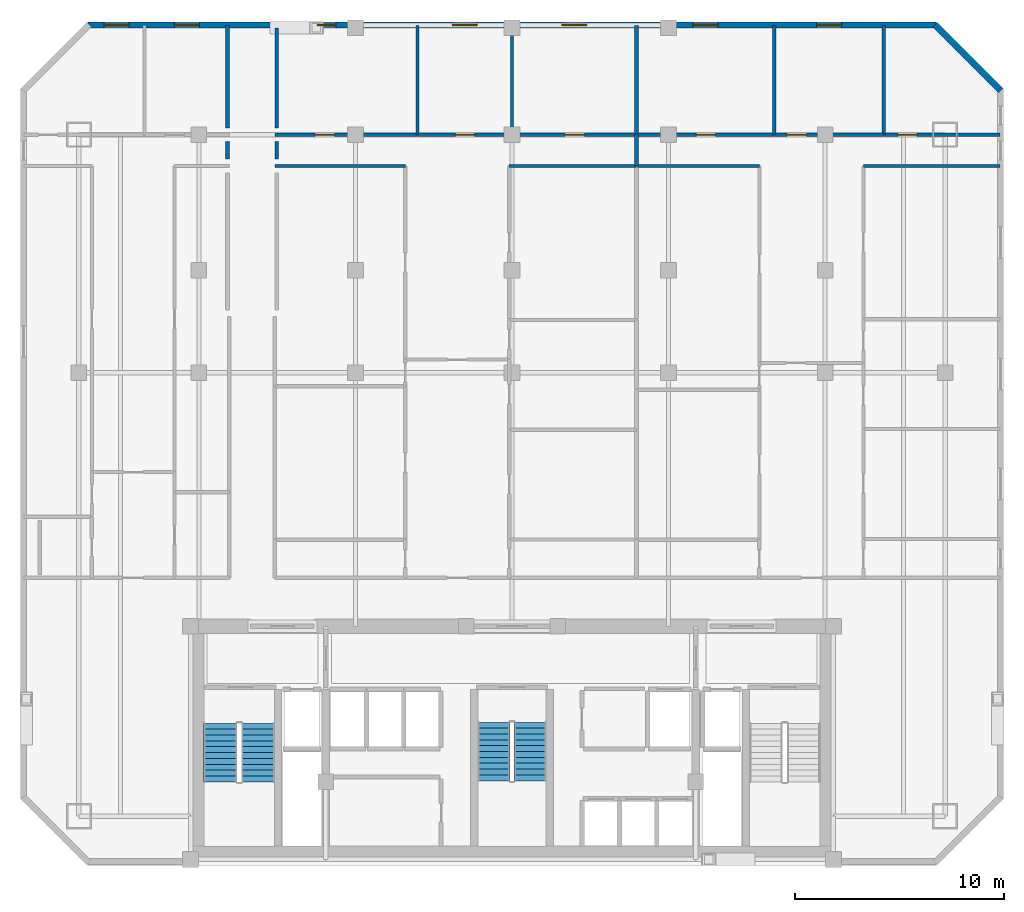
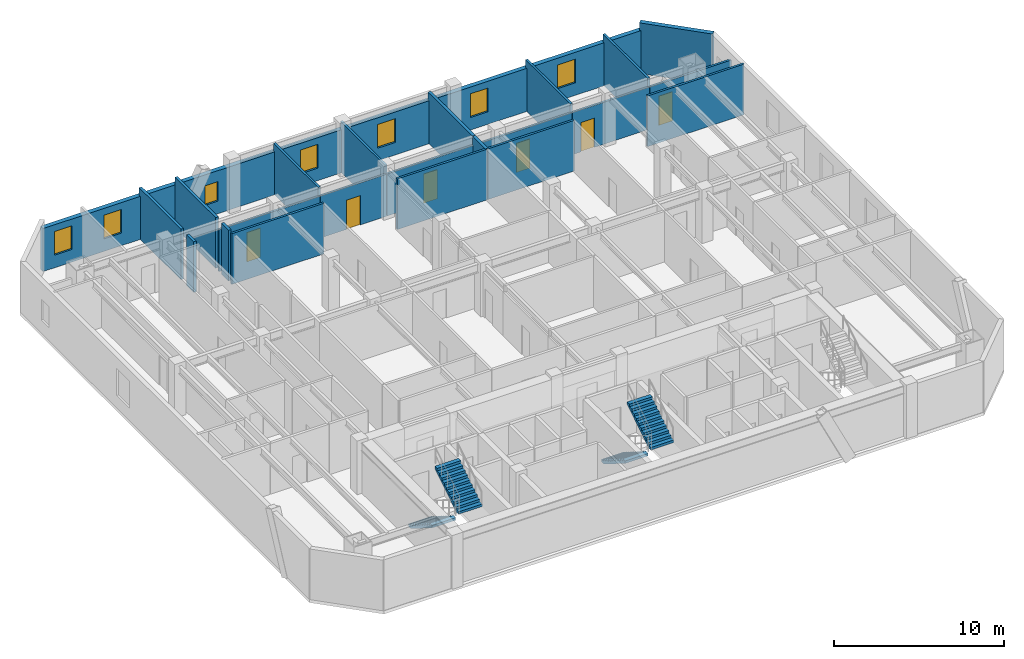
# One storey, part 6 of 8: 22 walls, 7 windows, 6 doors, 4 stair flights, 13 openings, 2 elements without a shape of their own.
"""IFC4 building model written with IfcOpenShell, lengths in metres."""

from ifc_helpers import new_model, si_unit, direction, frame, frame_2d, origin, place, context, subcontext, project, spatial, polyline, rectangle, outline, extrude, material, layer, layer_set, type_object, element, fill, aggregate, save


model = new_model("IFC4")

# Units and contexts
model_context = context("Model", 3, precision=1e-05, world=origin(), true_north=direction((0.0, 1.0)))
body_context = subcontext(model_context, "Body", "Model", "MODEL_VIEW")
ifc_project = project(units=[si_unit("LENGTHUNIT", "METRE"), si_unit("AREAUNIT", "SQUARE_METRE"), si_unit("VOLUMEUNIT", "CUBIC_METRE"), si_unit("PLANEANGLEUNIT", "RADIAN"), si_unit("MASSUNIT", "GRAM", prefix="KILO")], contexts=[model_context])

# Site, building, storey
site_placement = place(None, origin())
site = spatial("IfcSite", under=ifc_project, at=site_placement, CompositionType="ELEMENT")
building_placement = place(site_placement, origin())
building = spatial("IfcBuilding", under=site, at=building_placement, Name="Ventersveld Concourse Tower", CompositionType="ELEMENT")
storey_placement = place(building_placement, frame((0.0, 0.0, 164.449951171875)))
storey = spatial("IfcBuildingStorey", under=building, at=storey_placement, Name="L40", CompositionType="ELEMENT", Elevation=164.449951171875)

# Walls
ifc_material_1 = material(Name="Fire-rated autoclaved aerated masonry blockwork", Category="masonry")
ifc_layer_1 = layer(ifc_material_1, 0.179931640625)
ifc_layer_set_1 = layer_set([ifc_layer_1], Name="Fire-rated autoclaved aerated masonry blockwork")
wall_type_1 = type_object("IfcWallType", Name="WL-CORR-180", PredefinedType="PARTITIONING", material=ifc_layer_set_1)
wall_1_placement = place(storey_placement, frame((15.1201171875, 34.675048828125, 0.0), z_axis=(0.0, 0.0, 1.0), x_axis=(0.0, -1.0, 0.0)))
element("IfcWall", 1, at=wall_1_placement, inside=storey, type_object=wall_type_1, Name="L40 Room Enclosure Wall SP-L40-40NW-LIV", PredefinedType="PARTITIONING", context=body_context, shape_type="SweptSolid", body=[
    extrude(rectangle(XDim=0.85009765625, YDim=0.179931640625, at=frame_2d((0.425048828125, 0.0))), origin(), (0.0, 0.0, 1.0), 3.630126953125),
])
wall_2_placement = place(storey_placement, frame((15.1201171875, 40.2275390625, 0.0), z_axis=(0.0, 0.0, 1.0), x_axis=(0.0, -1.0, 0.0)))
element("IfcWall", 2, at=wall_2_placement, inside=storey, type_object=wall_type_1, Name="L40 Room Enclosure Wall SP-L40-40NW-BR2", PredefinedType="PARTITIONING", context=body_context, shape_type="SweptSolid", body=[
    extrude(rectangle(XDim=4.902587890625, YDim=0.179931640625, at=frame_2d((2.451171875, 0.0))), origin(), (0.0, 0.0, 1.0), 3.630126953125),
])
wall_3_placement = place(storey_placement, frame((17.47998046875, 33.824951171875, 0.0), z_axis=(0.0, 0.0, 1.0), x_axis=(0.0, 1.0, 0.0)))
element("IfcWall", 3, at=wall_3_placement, inside=storey, type_object=wall_type_1, Name="L40 Room Enclosure Wall SP-L40-40N1-LIV", PredefinedType="PARTITIONING", context=body_context, shape_type="SweptSolid", body=[
    extrude(rectangle(XDim=0.85009765625, YDim=0.179931640625, at=frame_2d((0.425048828125, 0.0))), origin(), (0.0, 0.0, 1.0), 3.630126953125),
])
wall_4_placement = place(storey_placement, frame((17.47998046875, 35.324951171875, 0.0), z_axis=(0.0, 0.0, 1.0), x_axis=(0.0, 1.0, 0.0)))
element("IfcWall", 4, at=wall_4_placement, inside=storey, type_object=wall_type_1, Name="L40 Room Enclosure Wall SP-L40-40N1-BR1", PredefinedType="PARTITIONING", context=body_context, shape_type="SweptSolid", body=[
    extrude(rectangle(XDim=4.77880859375, YDim=0.179931640625, at=frame_2d((2.389404296875, 0.0))), origin(), (0.0, 0.0, 1.0), 3.630126953125),
])
ifc_layer_2 = layer(ifc_material_1, 0.199951171875)
ifc_layer_set_2 = layer_set([ifc_layer_2], Name="Fire-rated autoclaved aerated masonry blockwork")
wall_type_2 = type_object("IfcWallType", Name="WL-DEMISE-200", PredefinedType="PARTITIONING", material=ifc_layer_set_2)
wall_5_placement = place(storey_placement, frame((34.719970703125, 33.4951171875, 0.0), z_axis=(0.0, 0.0, 1.0), x_axis=(0.0, 1.0, 0.0)))
element("IfcWall", 5, at=wall_5_placement, inside=storey, type_object=wall_type_2, Name="L40 Interior Partition SP-L40-40N1-LIV-SP-L40-40N2-LIV", PredefinedType="PARTITIONING", context=body_context, shape_type="SweptSolid", body=[
    extrude(rectangle(XDim=1.509765625, YDim=0.199951171875, at=frame_2d((0.7548828125, 0.0))), origin(), (0.0, 0.0, 1.0), 3.630126953125),
])
wall_6_placement = place(storey_placement, frame((34.719970703125, 35.034912109375, 0.0), z_axis=(0.0, 0.0, 1.0), x_axis=(0.0, 1.0, 0.0)))
element("IfcWall", 6, at=wall_6_placement, inside=storey, type_object=wall_type_2, Name="L40 Interior Partition SP-L40-40N1-BR3-SP-L40-40N2-BR1", PredefinedType="PARTITIONING", context=body_context, shape_type="SweptSolid", body=[
    extrude(rectangle(XDim=5.192626953125, YDim=0.199951171875, at=frame_2d((2.59619140625, 0.0))), origin(), (0.0, 0.0, 1.0), 3.630126953125),
])
ifc_material_2 = material(Name="Autoclaved aerated masonry blockwork", Category="masonry")
ifc_layer_3 = layer(ifc_material_2, 0.14990234375)
ifc_layer_set_3 = layer_set([ifc_layer_3], Name="Autoclaved aerated masonry blockwork")
wall_type_3 = type_object("IfcWallType", Name="WL-INT-150", PredefinedType="PARTITIONING", material=ifc_layer_set_3)
wall_7_placement = place(storey_placement, frame((17.385009765625, 33.5, 0.0), z_axis=(0.0, 0.0, 1.0), x_axis=(1.0, 0.0, 0.0)))
element("IfcWall", 7, at=wall_7_placement, inside=storey, type_object=wall_type_3, Name="L40 Interior Partition SP-L40-40N1-LIV-SP-L40-40N1-DENL2", PredefinedType="PARTITIONING", context=body_context, shape_type="SweptSolid", body=[
    extrude(rectangle(XDim=6.25634765625, YDim=0.14990234375, at=frame_2d((3.128173828125, 0.0))), origin(), (0.0, 0.0, 1.0), 3.630126953125),
])
wall_8_placement = place(storey_placement, frame((28.611328125, 33.5, 0.0), z_axis=(0.0, 0.0, 1.0), x_axis=(1.0, 0.0, 0.0)))
element("IfcWall", 8, at=wall_8_placement, inside=storey, type_object=wall_type_3, Name="L40 Interior Partition SP-L40-40N1-LIV-SP-L40-40N1-DENS2", PredefinedType="PARTITIONING", context=body_context, shape_type="SweptSolid", body=[
    extrude(rectangle(XDim=6.11376953125, YDim=0.14990234375, at=frame_2d((3.056884765625, 0.0))), origin(), (0.0, 0.0, 1.0), 3.630126953125),
])

# Wall, opening, door
wall_9_placement = place(storey_placement, frame((17.385009765625, 35.0, 0.0), z_axis=(0.0, 0.0, 1.0), x_axis=(1.0, 0.0, 0.0)))
wall_9 = element("IfcWall", 9, at=wall_9_placement, inside=storey, type_object=wall_type_3, Name="L40 Interior Partition SP-L40-40N1-LIV-SP-L40-40N1-BR1", PredefinedType="PARTITIONING", context=body_context, shape_type="SweptSolid", body=[
    extrude(rectangle(XDim=6.8359375, YDim=0.14990234375, at=frame_2d((3.41796875, 0.0))), origin(), (0.0, 0.0, 1.0), 3.012939453125),
])
opening_1_placement = place(wall_9_placement, frame((1.9326171875, 0.0, 0.0)))
opening_1 = element("IfcOpeningElement", 10, at=opening_1_placement, cuts=wall_9, Name="Opening ID1", PredefinedType="OPENING", context=body_context, shape_type="SweptSolid", body=[
    extrude(rectangle(XDim=0.919921875, YDim=2.10009765625, at=frame_2d((0.4599609375, 1.050048828125))), frame((0.0, 0.0849609375, 0.0), z_axis=(0.0, -1.0, 0.0), x_axis=(1.0, 0.0, 0.0)), (0.0, 0.0, 1.0), 0.169921875),
])
ifc_material_3 = material(Name="Solid-core hardwood veneer timber", Category="wood")
door_type = type_object("IfcDoorType", Name="DR-ROOM-092", OperationType="NOTDEFINED", PredefinedType="DOOR", material=ifc_material_3)
door_1_placement = place(opening_1_placement, origin())
door_1 = element("IfcDoor", 11, at=door_1_placement, inside=storey, type_object=door_type, Name="L40 Interior Door SP-L40-40N1-LIV to SP-L40-40N1-BR1 (D-L40-1975)", OperationType="SINGLE_SWING_LEFT", OverallHeight=2.10009765625, OverallWidth=0.919921875, PredefinedType="DOOR", context=body_context, shape_type="SweptSolid", body=[
    extrude(rectangle(XDim=0.919921875, YDim=2.10009765625, at=frame_2d((0.4599609375, 1.050048828125))), frame((0.0, 0.02490234375, 0.0), z_axis=(0.0, -1.0, 0.0), x_axis=(1.0, 0.0, 0.0)), (0.0, 0.0, 1.0), 0.050048828125),
])
fill(opening_1, door_1)

wall_10_placement = place(storey_placement, frame((24.2509765625, 35.0, 0.0), z_axis=(0.0, 0.0, 1.0), x_axis=(1.0, 0.0, 0.0)))
wall_10 = element("IfcWall", 12, at=wall_10_placement, inside=storey, type_object=wall_type_3, Name="L40 Interior Partition SP-L40-40N1-LIV-SP-L40-40N1-BR2", PredefinedType="PARTITIONING", context=body_context, shape_type="SweptSolid", body=[
    extrude(rectangle(XDim=4.50390625, YDim=0.14990234375, at=frame_2d((2.251953125, 0.0))), origin(), (0.0, 0.0, 1.0), 3.012939453125),
])
opening_2_placement = place(wall_10_placement, frame((1.7919921875, 0.0, 0.0)))
opening_2 = element("IfcOpeningElement", 13, at=opening_2_placement, cuts=wall_10, Name="Opening ID1", PredefinedType="OPENING", context=body_context, shape_type="SweptSolid", body=[
    extrude(rectangle(XDim=0.919921875, YDim=2.10009765625, at=frame_2d((0.4599609375, 1.050048828125))), frame((0.0, 0.0849609375, 0.0), z_axis=(0.0, -1.0, 0.0), x_axis=(1.0, 0.0, 0.0)), (0.0, 0.0, 1.0), 0.169921875),
])
door_2_placement = place(opening_2_placement, origin())
door_2 = element("IfcDoor", 14, at=door_2_placement, inside=storey, type_object=door_type, Name="L40 Interior Door SP-L40-40N1-LIV to SP-L40-40N1-BR2 (D-L40-1976)", OperationType="SINGLE_SWING_RIGHT", OverallHeight=2.10009765625, OverallWidth=0.919921875, PredefinedType="DOOR", context=body_context, shape_type="SweptSolid", body=[
    extrude(rectangle(XDim=0.919921875, YDim=2.10009765625, at=frame_2d((0.4599609375, 1.050048828125))), frame((0.0, 0.02490234375, 0.0), z_axis=(0.0, -1.0, 0.0), x_axis=(1.0, 0.0, 0.0)), (0.0, 0.0, 1.0), 0.050048828125),
])
fill(opening_2, door_2)

wall_11_placement = place(storey_placement, frame((28.784912109375, 35.0, 0.0), z_axis=(0.0, 0.0, 1.0), x_axis=(1.0, 0.0, 0.0)))
wall_11 = element("IfcWall", 15, at=wall_11_placement, inside=storey, type_object=wall_type_3, Name="L40 Interior Partition SP-L40-40N1-LIV-SP-L40-40N1-BR3", PredefinedType="PARTITIONING", context=body_context, shape_type="SweptSolid", body=[
    extrude(rectangle(XDim=5.940185546875, YDim=0.14990234375, at=frame_2d((2.97021484375, 0.0))), origin(), (0.0, 0.0, 1.0), 3.012939453125),
])
opening_3_placement = place(wall_11_placement, frame((2.510009765625, 0.0, 0.0)))
opening_3 = element("IfcOpeningElement", 16, at=opening_3_placement, cuts=wall_11, Name="Opening ID1", PredefinedType="OPENING", context=body_context, shape_type="SweptSolid", body=[
    extrude(rectangle(XDim=0.919921875, YDim=2.10009765625, at=frame_2d((0.4599609375, 1.050048828125))), frame((0.0, 0.0849609375, 0.0), z_axis=(0.0, -1.0, 0.0), x_axis=(1.0, 0.0, 0.0)), (0.0, 0.0, 1.0), 0.169921875),
])
door_3_placement = place(opening_3_placement, origin())
door_3 = element("IfcDoor", 17, at=door_3_placement, inside=storey, type_object=door_type, Name="L40 Interior Door SP-L40-40N1-LIV to SP-L40-40N1-BR3 (D-L40-1977)", OperationType="SINGLE_SWING_LEFT", OverallHeight=2.10009765625, OverallWidth=0.919921875, PredefinedType="DOOR", context=body_context, shape_type="SweptSolid", body=[
    extrude(rectangle(XDim=0.919921875, YDim=2.10009765625, at=frame_2d((0.4599609375, 1.050048828125))), frame((0.0, 0.02490234375, 0.0), z_axis=(0.0, -1.0, 0.0), x_axis=(1.0, 0.0, 0.0)), (0.0, 0.0, 1.0), 0.050048828125),
])
fill(opening_3, door_3)

# Walls
for number, where, z_axis, x_axis, name in (
    (18, (24.216064453125, 34.9951171875, 0.0), (0.0, 0.0, 1.0), (0.0, 1.0, 0.0), "L40 Interior Partition SP-L40-40N1-BR1-SP-L40-40N1-BR2"),
    (19, (28.75, 34.9951171875, 0.0), (0.0, 0.0, 1.0), (0.0, 1.0, 0.0), "L40 Interior Partition SP-L40-40N1-BR2-SP-L40-40N1-BR3"),
):
    element("IfcWall", number, at=place(storey_placement, frame(where, z_axis=z_axis, x_axis=x_axis)), inside=storey, type_object=wall_type_3, Name=name, PredefinedType="PARTITIONING", context=body_context, shape_type="SweptSolid", body=[
        extrude(rectangle(XDim=5.232421875, YDim=0.14990234375, at=frame_2d((2.6162109375, 0.0))), origin(), (0.0, 0.0, 1.0), 3.630126953125),
    ])
wall_12_placement = place(storey_placement, frame((34.7548828125, 33.5, 0.0), z_axis=(0.0, 0.0, 1.0), x_axis=(1.0, 0.0, 0.0)))
element("IfcWall", 20, at=wall_12_placement, inside=storey, type_object=wall_type_3, Name="L40 Interior Partition SP-L40-40N2-LIV-SP-L40-40N2-DENL2", PredefinedType="PARTITIONING", context=body_context, shape_type="SweptSolid", body=[
    extrude(rectangle(XDim=5.855224609375, YDim=0.14990234375, at=frame_2d((2.927734375, 0.0))), origin(), (0.0, 0.0, 1.0), 3.630126953125),
])
wall_13_placement = place(storey_placement, frame((45.580078125, 33.5, 0.0), z_axis=(0.0, 0.0, 1.0), x_axis=(1.0, 0.0, 0.0)))
element("IfcWall", 21, at=wall_13_placement, inside=storey, type_object=wall_type_3, Name="L40 Interior Partition SP-L40-40N2-LIV-SP-L40-40N2-DENS2", PredefinedType="PARTITIONING", context=body_context, shape_type="SweptSolid", body=[
    extrude(rectangle(XDim=6.54736328125, YDim=0.14990234375, at=frame_2d((3.273681640625, 0.0))), origin(), (0.0, 0.0, 1.0), 3.630126953125),
])

# Wall, opening, door
wall_14_placement = place(storey_placement, frame((34.7548828125, 35.0, 0.0), z_axis=(0.0, 0.0, 1.0), x_axis=(1.0, 0.0, 0.0)))
wall_14 = element("IfcWall", 22, at=wall_14_placement, inside=storey, type_object=wall_type_3, Name="L40 Interior Partition SP-L40-40N2-LIV-SP-L40-40N2-BR1", PredefinedType="PARTITIONING", context=body_context, shape_type="SweptSolid", body=[
    extrude(rectangle(XDim=6.566650390625, YDim=0.14990234375, at=frame_2d((3.283203125, 0.0))), origin(), (0.0, 0.0, 1.0), 3.012939453125),
])
opening_4_placement = place(wall_14_placement, frame((2.8232421875, 0.0, 0.0)))
opening_4 = element("IfcOpeningElement", 23, at=opening_4_placement, cuts=wall_14, Name="Opening ID1", PredefinedType="OPENING", context=body_context, shape_type="SweptSolid", body=[
    extrude(rectangle(XDim=0.919921875, YDim=2.10009765625, at=frame_2d((0.4599609375, 1.050048828125))), frame((0.0, 0.0849609375, 0.0), z_axis=(0.0, -1.0, 0.0), x_axis=(1.0, 0.0, 0.0)), (0.0, 0.0, 1.0), 0.169921875),
])
door_4_placement = place(opening_4_placement, origin())
door_4 = element("IfcDoor", 24, at=door_4_placement, inside=storey, type_object=door_type, Name="L40 Interior Door SP-L40-40N2-LIV to SP-L40-40N2-BR1 (D-L40-1988)", OperationType="SINGLE_SWING_RIGHT", OverallHeight=2.10009765625, OverallWidth=0.919921875, PredefinedType="DOOR", context=body_context, shape_type="SweptSolid", body=[
    extrude(rectangle(XDim=0.919921875, YDim=2.10009765625, at=frame_2d((0.4599609375, 1.050048828125))), frame((0.0, 0.02490234375, 0.0), z_axis=(0.0, -1.0, 0.0), x_axis=(1.0, 0.0, 0.0)), (0.0, 0.0, 1.0), 0.050048828125),
])
fill(opening_4, door_4)

wall_15_placement = place(storey_placement, frame((41.3515625, 35.0, 0.0), z_axis=(0.0, 0.0, 1.0), x_axis=(1.0, 0.0, 0.0)))
wall_15 = element("IfcWall", 25, at=wall_15_placement, inside=storey, type_object=wall_type_3, Name="L40 Interior Partition SP-L40-40N2-LIV-SP-L40-40N2-BR2", PredefinedType="PARTITIONING", context=body_context, shape_type="SweptSolid", body=[
    extrude(rectangle(XDim=5.215576171875, YDim=0.14990234375, at=frame_2d((2.60791015625, 0.0))), origin(), (0.0, 0.0, 1.0), 3.012939453125),
])
opening_5_placement = place(wall_15_placement, frame((0.5830078125, 0.0, 0.0)))
opening_5 = element("IfcOpeningElement", 26, at=opening_5_placement, cuts=wall_15, Name="Opening ID1", PredefinedType="OPENING", context=body_context, shape_type="SweptSolid", body=[
    extrude(rectangle(XDim=0.919921875, YDim=2.10009765625, at=frame_2d((0.4599609375, 1.050048828125))), frame((0.0, 0.0849609375, 0.0), z_axis=(0.0, -1.0, 0.0), x_axis=(1.0, 0.0, 0.0)), (0.0, 0.0, 1.0), 0.169921875),
])
door_5_placement = place(opening_5_placement, origin())
door_5 = element("IfcDoor", 27, at=door_5_placement, inside=storey, type_object=door_type, Name="L40 Interior Door SP-L40-40N2-LIV to SP-L40-40N2-BR2 (D-L40-1989)", OperationType="SINGLE_SWING_LEFT", OverallHeight=2.10009765625, OverallWidth=0.919921875, PredefinedType="DOOR", context=body_context, shape_type="SweptSolid", body=[
    extrude(rectangle(XDim=0.919921875, YDim=2.10009765625, at=frame_2d((0.4599609375, 1.050048828125))), frame((0.0, 0.02490234375, 0.0), z_axis=(0.0, -1.0, 0.0), x_axis=(1.0, 0.0, 0.0)), (0.0, 0.0, 1.0), 0.050048828125),
])
fill(opening_5, door_5)

wall_16_placement = place(storey_placement, frame((46.59716796875, 35.0, 0.0), z_axis=(0.0, 0.0, 1.0), x_axis=(1.0, 0.0, 0.0)))
wall_16 = element("IfcWall", 28, at=wall_16_placement, inside=storey, type_object=wall_type_3, Name="L40 Interior Partition SP-L40-40N2-LIV-SP-L40-40N2-BR3", PredefinedType="PARTITIONING", context=body_context, shape_type="SweptSolid", body=[
    extrude(rectangle(XDim=5.5302734375, YDim=0.14990234375, at=frame_2d((2.76513671875, 0.0))), origin(), (0.0, 0.0, 1.0), 3.012939453125),
])
opening_6_placement = place(wall_16_placement, frame((0.64599609375, 0.0, 0.0)))
opening_6 = element("IfcOpeningElement", 29, at=opening_6_placement, cuts=wall_16, Name="Opening ID1", PredefinedType="OPENING", context=body_context, shape_type="SweptSolid", body=[
    extrude(rectangle(XDim=0.919921875, YDim=2.10009765625, at=frame_2d((0.4599609375, 1.050048828125))), frame((0.0, 0.0849609375, 0.0), z_axis=(0.0, -1.0, 0.0), x_axis=(1.0, 0.0, 0.0)), (0.0, 0.0, 1.0), 0.169921875),
])
door_6_placement = place(opening_6_placement, origin())
door_6 = element("IfcDoor", 30, at=door_6_placement, inside=storey, type_object=door_type, Name="L40 Interior Door SP-L40-40N2-LIV to SP-L40-40N2-BR3 (D-L40-1990)", OperationType="SINGLE_SWING_RIGHT", OverallHeight=2.10009765625, OverallWidth=0.919921875, PredefinedType="DOOR", context=body_context, shape_type="SweptSolid", body=[
    extrude(rectangle(XDim=0.919921875, YDim=2.10009765625, at=frame_2d((0.4599609375, 1.050048828125))), frame((0.0, 0.02490234375, 0.0), z_axis=(0.0, -1.0, 0.0), x_axis=(1.0, 0.0, 0.0)), (0.0, 0.0, 1.0), 0.050048828125),
])
fill(opening_6, door_6)

# Walls
for number, where, z_axis, x_axis, name in (
    (31, (41.31640625, 34.9951171875, 0.0), (0.0, 0.0, 1.0), (0.0, 1.0, 0.0), "L40 Interior Partition SP-L40-40N2-BR1-SP-L40-40N2-BR2"),
    (32, (46.56201171875, 34.9951171875, 0.0), (0.0, 0.0, 1.0), (0.0, 1.0, 0.0), "L40 Interior Partition SP-L40-40N2-BR2-SP-L40-40N2-BR3"),
):
    element("IfcWall", number, at=place(storey_placement, frame(where, z_axis=z_axis, x_axis=x_axis)), inside=storey, type_object=wall_type_3, Name=name, PredefinedType="PARTITIONING", context=body_context, shape_type="SweptSolid", body=[
        extrude(rectangle(XDim=5.232421875, YDim=0.14990234375, at=frame_2d((2.6162109375, 0.0))), origin(), (0.0, 0.0, 1.0), 3.630126953125),
    ])
ifc_material_4 = material(Name="Precast concrete C45/55", Category="concrete")
ifc_layer_4 = layer(ifc_material_4, 0.300048828125)
ifc_layer_set_4 = layer_set([ifc_layer_4], Name="Precast concrete C45/55")
wall_type_4 = type_object("IfcWallType", Name="WL-PREC-300", PredefinedType="SOLIDWALL", material=ifc_layer_set_4)
wall_17_placement = place(storey_placement, frame((52.16552734375, 37.122314453125, 0.0), z_axis=(0.0, 0.0, 1.0), x_axis=(-0.707106781187, 0.707106781187, 0.0)))
element("IfcWall", 33, at=wall_17_placement, inside=storey, type_object=wall_type_4, Name="L40 Highveld Precast Facade Wall E04", PredefinedType="SOLIDWALL", context=body_context, shape_type="SweptSolid", body=[
    extrude(rectangle(XDim=4.4453125, YDim=0.300048828125, at=frame_2d((2.22265625, 0.0))), origin(), (0.0, 0.0, 1.0), 3.630126953125),
])

# Wall, openings, windows
wall_18_placement = place(storey_placement, frame((49.06005859375, 40.25, 0.0), z_axis=(0.0, 0.0, 1.0), x_axis=(-1.0, 0.0, 0.0)))
wall_18 = element("IfcWall", 34, at=wall_18_placement, inside=storey, type_object=wall_type_4, Name="L40 Highveld Precast Facade Wall E05", PredefinedType="SOLIDWALL", context=body_context, shape_type="SweptSolid", body=[
    extrude(rectangle(XDim=40.6201171875, YDim=0.300048828125, at=frame_2d((20.31005859375, 0.0))), origin(), (0.0, 0.0, 1.0), 3.08544921875),
])
opening_7_placement = place(wall_18_placement, frame((38.64990234375, 0.0, 0.89990234375)))
opening_7 = element("IfcOpeningElement", 35, at=opening_7_placement, cuts=wall_18, Name="Opening W3", PredefinedType="OPENING", context=body_context, shape_type="SweptSolid", body=[
    extrude(rectangle(XDim=1.199951171875, YDim=1.699951171875, at=frame_2d((0.60009765625, 0.85009765625))), frame((0.0, 0.16015625, 0.0), z_axis=(0.0, -1.0, 0.0), x_axis=(1.0, 0.0, 0.0)), (0.0, 0.0, 1.0), 0.320068359375),
])
opening_8_placement = place(wall_18_placement, frame((35.28564453125, 0.0, 0.89990234375)))
opening_8 = element("IfcOpeningElement", 36, at=opening_8_placement, cuts=wall_18, Name="Opening W3", PredefinedType="OPENING", context=body_context, shape_type="SweptSolid", body=[
    extrude(rectangle(XDim=1.199951171875, YDim=1.699951171875, at=frame_2d((0.60009765625, 0.85009765625))), frame((0.0, 0.16015625, 0.0), z_axis=(0.0, -1.0, 0.0), x_axis=(1.0, 0.0, 0.0)), (0.0, 0.0, 1.0), 0.320068359375),
])
opening_9_placement = place(wall_18_placement, frame((28.74169921875, 0.0, 0.89990234375)))
opening_9 = element("IfcOpeningElement", 37, at=opening_9_placement, cuts=wall_18, Name="Opening W8", PredefinedType="OPENING", context=body_context, shape_type="SweptSolid", body=[
    extrude(rectangle(XDim=0.89990234375, YDim=1.39990234375, at=frame_2d((0.449951171875, 0.699951171875))), frame((0.0, 0.16015625, 0.0), z_axis=(0.0, -1.0, 0.0), x_axis=(1.0, 0.0, 0.0)), (0.0, 0.0, 1.0), 0.320068359375),
])
opening_10_placement = place(wall_18_placement, frame((21.97705078125, 0.0, 0.89990234375)))
opening_10 = element("IfcOpeningElement", 38, at=opening_10_placement, cuts=wall_18, Name="Opening W3", PredefinedType="OPENING", context=body_context, shape_type="SweptSolid", body=[
    extrude(rectangle(XDim=1.199951171875, YDim=1.699951171875, at=frame_2d((0.60009765625, 0.85009765625))), frame((0.0, 0.16015625, 0.0), z_axis=(0.0, -1.0, 0.0), x_axis=(1.0, 0.0, 0.0)), (0.0, 0.0, 1.0), 0.320068359375),
])
opening_11_placement = place(wall_18_placement, frame((16.72509765625, 0.0, 0.89990234375)))
opening_11 = element("IfcOpeningElement", 39, at=opening_11_placement, cuts=wall_18, Name="Opening W3", PredefinedType="OPENING", context=body_context, shape_type="SweptSolid", body=[
    extrude(rectangle(XDim=1.199951171875, YDim=1.699951171875, at=frame_2d((0.60009765625, 0.85009765625))), frame((0.0, 0.16015625, 0.0), z_axis=(0.0, -1.0, 0.0), x_axis=(1.0, 0.0, 0.0)), (0.0, 0.0, 1.0), 0.320068359375),
])
opening_12_placement = place(wall_18_placement, frame((10.44189453125, 0.0, 0.89990234375)))
opening_12 = element("IfcOpeningElement", 40, at=opening_12_placement, cuts=wall_18, Name="Opening W3", PredefinedType="OPENING", context=body_context, shape_type="SweptSolid", body=[
    extrude(rectangle(XDim=1.199951171875, YDim=1.699951171875, at=frame_2d((0.60009765625, 0.85009765625))), frame((0.0, 0.16015625, 0.0), z_axis=(0.0, -1.0, 0.0), x_axis=(1.0, 0.0, 0.0)), (0.0, 0.0, 1.0), 0.320068359375),
])
opening_13_placement = place(wall_18_placement, frame((4.520751953125, 0.0, 0.89990234375)))
opening_13 = element("IfcOpeningElement", 41, at=opening_13_placement, cuts=wall_18, Name="Opening W3", PredefinedType="OPENING", context=body_context, shape_type="SweptSolid", body=[
    extrude(rectangle(XDim=1.199951171875, YDim=1.699951171875, at=frame_2d((0.60009765625, 0.85009765625))), frame((0.0, 0.16015625, 0.0), z_axis=(0.0, -1.0, 0.0), x_axis=(1.0, 0.0, 0.0)), (0.0, 0.0, 1.0), 0.320068359375),
])
ifc_material_5 = material(Name="Tempered acoustic Low-E IGU", Category="glass")
window_type_1 = type_object("IfcWindowType", Name="WIN-090x140", PartitioningType="SINGLE_PANEL", PredefinedType="WINDOW", material=ifc_material_5)
window_1_placement = place(opening_9_placement, origin())
window_1 = element("IfcWindow", 42, at=window_1_placement, inside=storey, type_object=window_type_1, Name="L40 Punched Low-E Window W-0536", OverallHeight=1.39990234375, OverallWidth=0.89990234375, PartitioningType="SINGLE_PANEL", PredefinedType="WINDOW", context=body_context, shape_type="SweptSolid", body=[
    extrude(rectangle(XDim=0.89990234375, YDim=1.39990234375, at=frame_2d((0.449951171875, 0.699951171875))), frame((0.0, 0.030029296875, 0.0), z_axis=(0.0, -1.0, 0.0), x_axis=(1.0, 0.0, 0.0)), (0.0, 0.0, 1.0), 0.06005859375),
])
fill(opening_9, window_1)
window_type_2 = type_object("IfcWindowType", Name="WIN-120x180", PartitioningType="SINGLE_PANEL", PredefinedType="WINDOW", material=ifc_material_5)
window_2_placement = place(opening_7_placement, origin())
window_2 = element("IfcWindow", 43, at=window_2_placement, inside=storey, type_object=window_type_2, Name="L40 Punched Low-E Window W-0534", OverallHeight=1.699951171875, OverallWidth=1.199951171875, PartitioningType="SINGLE_PANEL", PredefinedType="WINDOW", context=body_context, shape_type="SweptSolid", body=[
    extrude(rectangle(XDim=1.199951171875, YDim=1.699951171875, at=frame_2d((0.60009765625, 0.85009765625))), frame((0.0, 0.030029296875, 0.0), z_axis=(0.0, -1.0, 0.0), x_axis=(1.0, 0.0, 0.0)), (0.0, 0.0, 1.0), 0.06005859375),
])
fill(opening_7, window_2)
window_3_placement = place(opening_8_placement, origin())
window_3 = element("IfcWindow", 44, at=window_3_placement, inside=storey, type_object=window_type_2, Name="L40 Punched Low-E Window W-0535", OverallHeight=1.699951171875, OverallWidth=1.199951171875, PartitioningType="SINGLE_PANEL", PredefinedType="WINDOW", context=body_context, shape_type="SweptSolid", body=[
    extrude(rectangle(XDim=1.199951171875, YDim=1.699951171875, at=frame_2d((0.60009765625, 0.85009765625))), frame((0.0, 0.030029296875, 0.0), z_axis=(0.0, -1.0, 0.0), x_axis=(1.0, 0.0, 0.0)), (0.0, 0.0, 1.0), 0.06005859375),
])
fill(opening_8, window_3)
window_4_placement = place(opening_10_placement, origin())
window_4 = element("IfcWindow", 45, at=window_4_placement, inside=storey, type_object=window_type_2, Name="L40 Punched Low-E Window W-0537", OverallHeight=1.699951171875, OverallWidth=1.199951171875, PartitioningType="SINGLE_PANEL", PredefinedType="WINDOW", context=body_context, shape_type="SweptSolid", body=[
    extrude(rectangle(XDim=1.199951171875, YDim=1.699951171875, at=frame_2d((0.60009765625, 0.85009765625))), frame((0.0, 0.030029296875, 0.0), z_axis=(0.0, -1.0, 0.0), x_axis=(1.0, 0.0, 0.0)), (0.0, 0.0, 1.0), 0.06005859375),
])
fill(opening_10, window_4)
window_5_placement = place(opening_11_placement, origin())
window_5 = element("IfcWindow", 46, at=window_5_placement, inside=storey, type_object=window_type_2, Name="L40 Punched Low-E Window W-0538", OverallHeight=1.699951171875, OverallWidth=1.199951171875, PartitioningType="SINGLE_PANEL", PredefinedType="WINDOW", context=body_context, shape_type="SweptSolid", body=[
    extrude(rectangle(XDim=1.199951171875, YDim=1.699951171875, at=frame_2d((0.60009765625, 0.85009765625))), frame((0.0, 0.030029296875, 0.0), z_axis=(0.0, -1.0, 0.0), x_axis=(1.0, 0.0, 0.0)), (0.0, 0.0, 1.0), 0.06005859375),
])
fill(opening_11, window_5)
window_6_placement = place(opening_12_placement, origin())
window_6 = element("IfcWindow", 47, at=window_6_placement, inside=storey, type_object=window_type_2, Name="L40 Punched Low-E Window W-0544", OverallHeight=1.699951171875, OverallWidth=1.199951171875, PartitioningType="SINGLE_PANEL", PredefinedType="WINDOW", context=body_context, shape_type="SweptSolid", body=[
    extrude(rectangle(XDim=1.199951171875, YDim=1.699951171875, at=frame_2d((0.60009765625, 0.85009765625))), frame((0.0, 0.030029296875, 0.0), z_axis=(0.0, -1.0, 0.0), x_axis=(1.0, 0.0, 0.0)), (0.0, 0.0, 1.0), 0.06005859375),
])
fill(opening_12, window_6)
window_7_placement = place(opening_13_placement, origin())
window_7 = element("IfcWindow", 48, at=window_7_placement, inside=storey, type_object=window_type_2, Name="L40 Punched Low-E Window W-0545", OverallHeight=1.699951171875, OverallWidth=1.199951171875, PartitioningType="SINGLE_PANEL", PredefinedType="WINDOW", context=body_context, shape_type="SweptSolid", body=[
    extrude(rectangle(XDim=1.199951171875, YDim=1.699951171875, at=frame_2d((0.60009765625, 0.85009765625))), frame((0.0, 0.030029296875, 0.0), z_axis=(0.0, -1.0, 0.0), x_axis=(1.0, 0.0, 0.0)), (0.0, 0.0, 1.0), 0.06005859375),
])
fill(opening_13, window_7)

# Stair, stair flights
ifc_material_6 = material(Name="Concrete C50/60", Category="concrete")
stair_type_1 = type_object("IfcStairType", Name="ST-DOG-155", PredefinedType="HALF_TURN_STAIR", material=ifc_material_6)
stair_1_placement = place(storey_placement, origin())
stair_1 = element("IfcStair", 49, at=stair_1_placement, inside=storey, type_object=stair_type_1, Name="L40 Protected Central Core Escape Stair ST-03", PredefinedType="HALF_TURN_STAIR")
stair_flight_type_1 = type_object("IfcStairFlightType", Name="STF-RC-155", PredefinedType="STRAIGHT", material=ifc_material_6)
stair_flight_1_placement = place(storey_placement, frame((27.875, 6.85009765625, 0.0), z_axis=(0.0, 0.0, 1.0), x_axis=(0.0, -1.0, 0.0)))
stair_flight_1 = element("IfcStairFlight", 50, at=stair_flight_1_placement, type_object=stair_flight_type_1, Name="ST-03 flight 1", NumberOfRisers=11, NumberOfTreads=10, PredefinedType="STRAIGHT", RiserHeight=0.175, TreadLength=0.28, context=body_context, shape_type="SweptSolid", body=[
    extrude(outline(polyline([(0.0, 0.0), (0.0, 0.175048828125), (0.280029296875, 0.175048828125), (0.280029296875, 0.35009765625), (0.56005859375, 0.35009765625), (0.56005859375, 0.52490234375), (0.840087890625, 0.52490234375), (0.840087890625, 0.699951171875), (1.1201171875, 0.699951171875), (1.1201171875, 0.875), (1.39990234375, 0.875), (1.39990234375, 1.050048828125), (1.679931640625, 1.050048828125), (1.679931640625, 1.22509765625), (1.9599609375, 1.22509765625), (1.9599609375, 1.39990234375), (2.239990234375, 1.39990234375), (2.239990234375, 1.574951171875), (2.52001953125, 1.574951171875), (2.52001953125, 1.75), (2.800048828125, 1.75), (2.800048828125, 1.925048828125), (2.800048828125, 1.5732421875), (0.28271484375, 0.0), (0.0, 0.0)])), frame((0.0, 0.77490234375, 0.0), z_axis=(0.0, -1.0, 0.0), x_axis=(1.0, 0.0, 0.0)), (0.0, 0.0, 1.0), 1.550048828125),
])
stair_flight_2_placement = place(storey_placement, frame((29.625, 4.050048828125, 1.925048828125), z_axis=(0.0, 0.0, 1.0), x_axis=(0.0, 1.0, 0.0)))
stair_flight_2 = element("IfcStairFlight", 51, at=stair_flight_2_placement, type_object=stair_flight_type_1, Name="ST-03 flight 2", NumberOfRisers=11, NumberOfTreads=10, PredefinedType="STRAIGHT", RiserHeight=0.175, TreadLength=0.28, context=body_context, shape_type="SweptSolid", body=[
    extrude(outline(polyline([(0.0, 0.0), (0.0, 0.175048828125), (0.280029296875, 0.175048828125), (0.280029296875, 0.35009765625), (0.56005859375, 0.35009765625), (0.56005859375, 0.52490234375), (0.840087890625, 0.52490234375), (0.840087890625, 0.699951171875), (1.1201171875, 0.699951171875), (1.1201171875, 0.875), (1.39990234375, 0.875), (1.39990234375, 1.050048828125), (1.679931640625, 1.050048828125), (1.679931640625, 1.22509765625), (1.9599609375, 1.22509765625), (1.9599609375, 1.39990234375), (2.239990234375, 1.39990234375), (2.239990234375, 1.574951171875), (2.52001953125, 1.574951171875), (2.52001953125, 1.75), (2.800048828125, 1.75), (2.800048828125, 1.925048828125), (2.800048828125, 1.5732421875), (0.28271484375, 0.0), (0.0, 0.0)])), frame((0.0, 0.77490234375, 0.0), z_axis=(0.0, -1.0, 0.0), x_axis=(1.0, 0.0, 0.0)), (0.0, 0.0, 1.0), 1.550048828125),
])
aggregate(stair_1, [stair_flight_1, stair_flight_2])

stair_type_2 = type_object("IfcStairType", Name="ST-DOG-160", PredefinedType="HALF_TURN_STAIR", material=ifc_material_6)
stair_2_placement = place(storey_placement, origin())
stair_2 = element("IfcStair", 52, at=stair_2_placement, inside=storey, type_object=stair_type_2, Name="L40 Protected Tower Escape Stair ST-01", PredefinedType="HALF_TURN_STAIR")
stair_flight_type_2 = type_object("IfcStairFlightType", Name="STF-RC-160", PredefinedType="STRAIGHT", material=ifc_material_6)
stair_flight_3_placement = place(storey_placement, frame((14.780029296875, 6.800048828125, 0.0), z_axis=(0.0, 0.0, 1.0), x_axis=(0.0, -1.0, 0.0)))
stair_flight_3 = element("IfcStairFlight", 53, at=stair_flight_3_placement, type_object=stair_flight_type_2, Name="ST-01 flight 1", NumberOfRisers=11, NumberOfTreads=10, PredefinedType="STRAIGHT", RiserHeight=0.175, TreadLength=0.28, context=body_context, shape_type="SweptSolid", body=[
    extrude(outline(polyline([(0.0, 0.0), (0.0, 0.175048828125), (0.280029296875, 0.175048828125), (0.280029296875, 0.35009765625), (0.56005859375, 0.35009765625), (0.56005859375, 0.52490234375), (0.840087890625, 0.52490234375), (0.840087890625, 0.699951171875), (1.1201171875, 0.699951171875), (1.1201171875, 0.875), (1.39990234375, 0.875), (1.39990234375, 1.050048828125), (1.679931640625, 1.050048828125), (1.679931640625, 1.22509765625), (1.9599609375, 1.22509765625), (1.9599609375, 1.39990234375), (2.239990234375, 1.39990234375), (2.239990234375, 1.574951171875), (2.52001953125, 1.574951171875), (2.52001953125, 1.75), (2.800048828125, 1.75), (2.800048828125, 1.925048828125), (2.800048828125, 1.5732421875), (0.28271484375, 0.0), (0.0, 0.0)])), frame((0.0, 0.800048828125, 0.0), z_axis=(0.0, -1.0, 0.0), x_axis=(1.0, 0.0, 0.0)), (0.0, 0.0, 1.0), 1.60009765625),
])
stair_flight_4_placement = place(storey_placement, frame((16.580078125, 4.0, 1.925048828125), z_axis=(0.0, 0.0, 1.0), x_axis=(0.0, 1.0, 0.0)))
stair_flight_4 = element("IfcStairFlight", 54, at=stair_flight_4_placement, type_object=stair_flight_type_2, Name="ST-01 flight 2", NumberOfRisers=11, NumberOfTreads=10, PredefinedType="STRAIGHT", RiserHeight=0.175, TreadLength=0.28, context=body_context, shape_type="SweptSolid", body=[
    extrude(outline(polyline([(0.0, 0.0), (0.0, 0.175048828125), (0.280029296875, 0.175048828125), (0.280029296875, 0.35009765625), (0.56005859375, 0.35009765625), (0.56005859375, 0.52490234375), (0.840087890625, 0.52490234375), (0.840087890625, 0.699951171875), (1.1201171875, 0.699951171875), (1.1201171875, 0.875), (1.39990234375, 0.875), (1.39990234375, 1.050048828125), (1.679931640625, 1.050048828125), (1.679931640625, 1.22509765625), (1.9599609375, 1.22509765625), (1.9599609375, 1.39990234375), (2.239990234375, 1.39990234375), (2.239990234375, 1.574951171875), (2.52001953125, 1.574951171875), (2.52001953125, 1.75), (2.800048828125, 1.75), (2.800048828125, 1.925048828125), (2.800048828125, 1.5732421875), (0.28271484375, 0.0), (0.0, 0.0)])), frame((0.0, 0.800048828125, 0.0), z_axis=(0.0, -1.0, 0.0), x_axis=(1.0, 0.0, 0.0)), (0.0, 0.0, 1.0), 1.60009765625),
])
aggregate(stair_2, [stair_flight_3, stair_flight_4])

save(model, "model.ifc")
